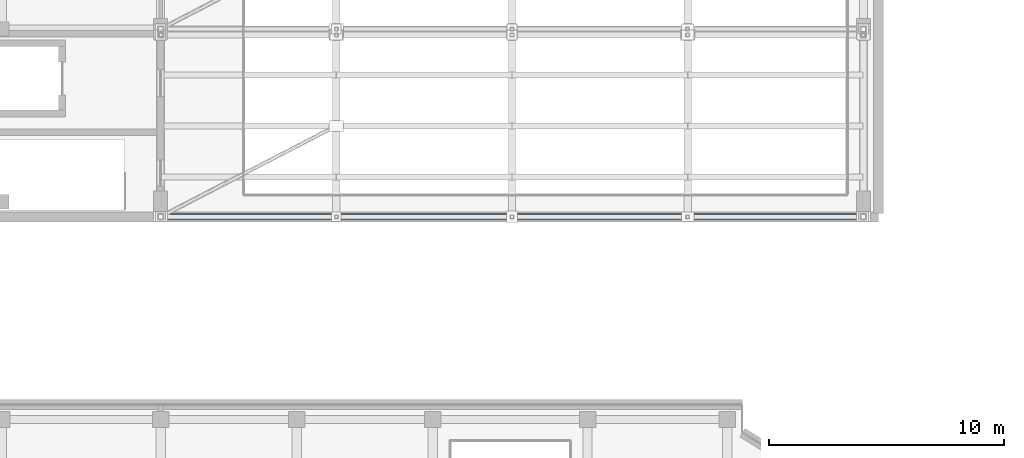
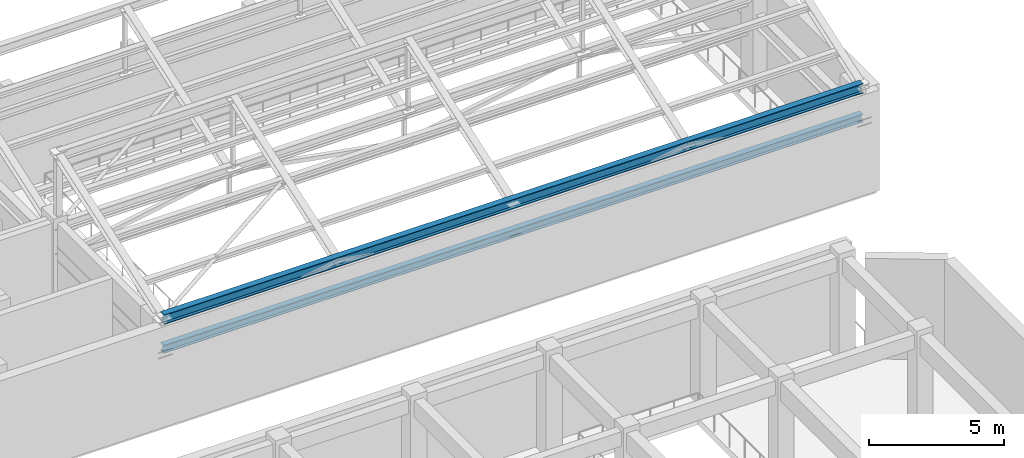
# One storey, part 19 of 76: 2 members.
"""IFC4 building model written with IfcOpenShell, lengths in metres."""

from ifc_helpers import new_model, si_unit, direction, frame, origin, origin_2d, place, context, subcontext, project, spatial, i_section, extrude, material, material_profile, profile_set, type_object, element, save


model = new_model("IFC4")

# Units and contexts
model_context = context("Model", 3, precision=1e-05, world=origin(), true_north=direction((0.0, 1.0)))
body_context = subcontext(model_context, "Body", "Model", "MODEL_VIEW")
ifc_project = project(units=[si_unit("LENGTHUNIT", "METRE"), si_unit("AREAUNIT", "SQUARE_METRE"), si_unit("VOLUMEUNIT", "CUBIC_METRE"), si_unit("PLANEANGLEUNIT", "RADIAN"), si_unit("MASSUNIT", "GRAM", prefix="KILO")], contexts=[model_context])

# Site, building, storey
site_placement = place(None, origin())
site = spatial("IfcSite", under=ifc_project, at=site_placement, CompositionType="ELEMENT")
building_placement = place(site_placement, origin())
building = spatial("IfcBuilding", under=site, at=building_placement, Name="Cinchona Park Media Centre", CompositionType="ELEMENT")
storey_placement = place(building_placement, frame((0.0, 0.0, 15.60009765625)))
storey = spatial("IfcBuildingStorey", under=building, at=storey_placement, Name="L03", CompositionType="ELEMENT", Elevation=15.60009765625)

# Members
ifc_material_1 = material(Name="Steel S355", Category="steel")
ifc_material_profile_1 = material_profile(ifc_material_1, i_section(OverallWidth=0.264892578125, OverallDepth=0.430908203125, WebThickness=0.014892578125, FlangeThickness=0.02490234375, at=origin_2d()), Name="W410X149")
ifc_profile_set_1 = profile_set([ifc_material_profile_1], Name="Steel S355")
member_type_1 = type_object("IfcMemberType", Name="MEMBER-TC03-W410X149", PredefinedType="CHORD", material=ifc_profile_set_1)
member_1_placement = place(storey_placement, frame((15.39990234375, 102.0, 4.7998046875), z_axis=(1.0, 0.0, 0.0), x_axis=(0.0, 1.0, 0.0)))
element("IfcMember", 1, at=member_1_placement, inside=storey, type_object=member_type_1, Name="ROOF TRUSS Top Chord V2 B1", PredefinedType="CHORD", context=body_context, shape_type="SweptSolid", body=[
    extrude(i_section(OverallWidth=0.264892578125, OverallDepth=0.430908203125, WebThickness=0.014892578125, FlangeThickness=0.02490234375, at=origin_2d()), origin(), (0.0, 0.0, 1.0), 29.960205078125),
])
ifc_material_2 = material(Name="Steel S355", Category="steel")
ifc_material_profile_2 = material_profile(ifc_material_2, i_section(OverallWidth=0.257080078125, OverallDepth=0.363037109375, WebThickness=0.012939453125, FlangeThickness=0.021728515625, at=origin_2d()), Name="W360X122")
ifc_profile_set_2 = profile_set([ifc_material_profile_2], Name="Steel S355")
member_type_2 = type_object("IfcMemberType", Name="MEMBER-TC04-W360X122", PredefinedType="CHORD", material=ifc_profile_set_2)
member_2_placement = place(storey_placement, frame((15.39990234375, 102.0, 3.449951171875), z_axis=(1.0, 0.0, 0.0), x_axis=(0.0, 1.0, 0.0)))
element("IfcMember", 2, at=member_2_placement, inside=storey, type_object=member_type_2, Name="ROOF TRUSS Bottom Chord V2 B1", PredefinedType="CHORD", context=body_context, shape_type="SweptSolid", body=[
    extrude(i_section(OverallWidth=0.257080078125, OverallDepth=0.363037109375, WebThickness=0.012939453125, FlangeThickness=0.021728515625, at=origin_2d()), origin(), (0.0, 0.0, 1.0), 29.960205078125),
])

save(model, "model.ifc")
